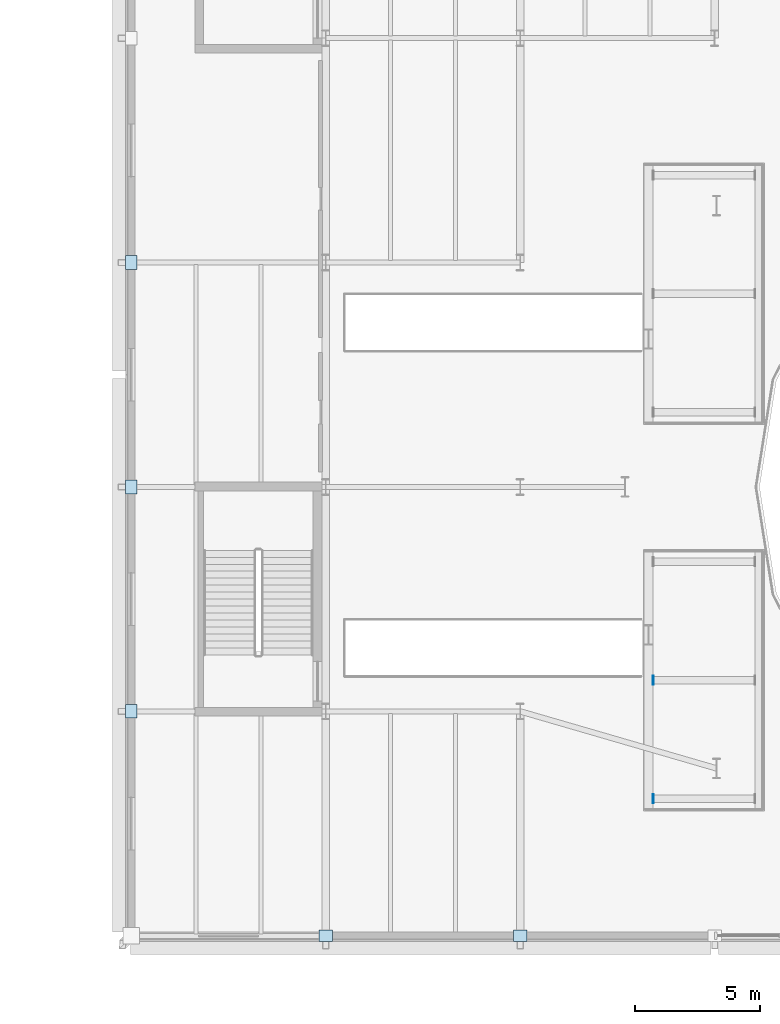
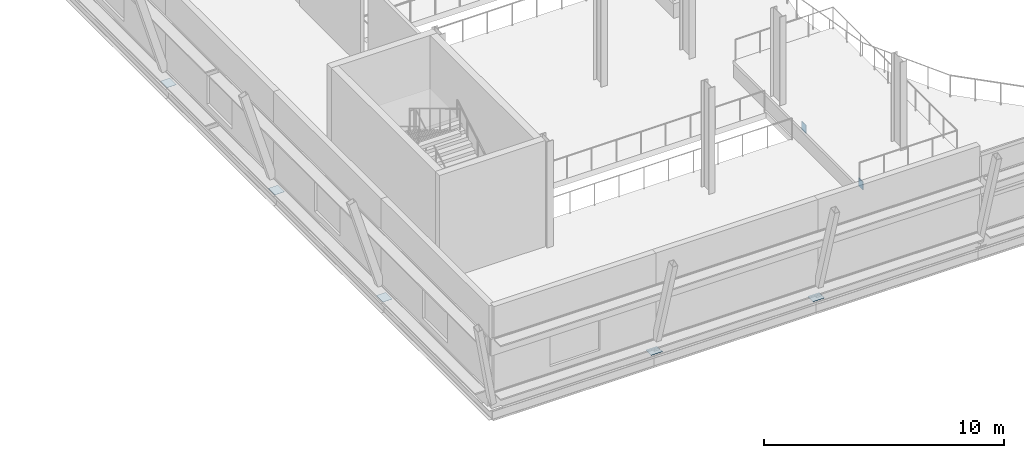
# One storey, part 44 of 78: 7 plates.
"""IFC4 building model written with IfcOpenShell, lengths in metres."""

import ifcopenshell
import ifcopenshell.guid

model = None  # the IFC model being written
_history = None  # IfcOwnerHistory: only IFC2X3 demands one
_inside = {}  # id of a spatial element -> (the spatial element, [elements in it])
_under = {}  # id of a project, library or spatial element -> (it, [spatial elements below it])
_declared = {}  # id of a project -> (the project, [libraries it declares])
_typed = {}  # id of a type object -> (the type object, [elements of that type])
_made_of = {}  # id of a material, layer set ... -> (it, [elements and type objects made of it])


def new_model(schema):
    """Start an empty IFC model of exactly this schema.

    Asked for "IFC4X3", IfcOpenShell would pick the latest addendum, in which some entities
    have other attributes; the version numbers below select the first issue.
    IFC2X3 requires an IfcOwnerHistory on every rooted entity: one is made here for all.
    """
    global model, _history
    if schema == "IFC4X3":
        model = ifcopenshell.file(schema_version=(4, 3, 0, 0))
    else:
        model = ifcopenshell.file(schema=schema)
    _inside.clear()
    _under.clear()
    _declared.clear()
    _typed.clear()
    _made_of.clear()
    _history = None
    if model.schema == "IFC2X3":
        org = make("IfcOrganization", Name="unknown")
        user = make(
            "IfcPersonAndOrganization",
            ThePerson=make("IfcPerson", FamilyName="unknown"),
            TheOrganization=org,
        )
        app = make(
            "IfcApplication",
            ApplicationDeveloper=org,
            Version="unknown",
            ApplicationFullName="unknown",
            ApplicationIdentifier="unknown",
        )
        _history = make(
            "IfcOwnerHistory",
            OwningUser=user,
            OwningApplication=app,
            ChangeAction="ADDED",
            CreationDate=0,
        )
    return model


def make(cls, **values):
    """One entity of the class cls with the attributes given. An attribute that is None is left unset."""
    return model.create_entity(
        cls, **{name: value for name, value in values.items() if value is not None}
    )


def rooted(cls, **values):
    """An entity with a GlobalId (a new one), such as an element, a storey or a relation."""
    return make(cls, GlobalId=ifcopenshell.guid.new(), OwnerHistory=_history, **values)


def si_unit(unit_type, name, prefix=None):
    """IfcSIUnit, for example si_unit("LENGTHUNIT", "METRE", prefix="MILLI")."""
    return make("IfcSIUnit", UnitType=unit_type, Prefix=prefix, Name=name)


def assignment(units):
    """IfcUnitAssignment: the units of a project."""
    return None if units is None else make("IfcUnitAssignment", Units=units)


def point(xyz):
    """IfcCartesianPoint."""
    return None if xyz is None else make("IfcCartesianPoint", Coordinates=xyz)


def direction(xyz):
    """IfcDirection."""
    return None if xyz is None else make("IfcDirection", DirectionRatios=xyz)


def frame(location, z_axis=None, x_axis=None):
    """IfcAxis2Placement3D, a coordinate frame: its origin and axes. An axis left out is left unset."""
    return make(
        "IfcAxis2Placement3D",
        Location=point(location),
        Axis=direction(z_axis),
        RefDirection=direction(x_axis),
    )


def frame_2d(location, x_axis=None):
    """IfcAxis2Placement2D, a coordinate frame in the plane: its origin and x axis."""
    return make(
        "IfcAxis2Placement2D", Location=point(location), RefDirection=direction(x_axis)
    )


def origin():
    """The frame at (0, 0, 0) with its axes left unset."""
    return frame((0.0, 0.0, 0.0))


def origin_2d():
    """The frame at (0, 0) in the plane with its x axis left unset."""
    return frame_2d((0.0, 0.0))


def place(relative_to, where):
    """IfcLocalPlacement: puts the frame where relative to a parent placement (None: the world)."""
    return make(
        "IfcLocalPlacement", PlacementRelTo=relative_to, RelativePlacement=where
    )


def context(
    kind, dimensions, precision=None, world=None, true_north=None, identifier=None
):
    """IfcGeometricRepresentationContext, for example the 3D "Model" context."""
    return make(
        "IfcGeometricRepresentationContext",
        ContextIdentifier=identifier,
        ContextType=kind,
        CoordinateSpaceDimension=dimensions,
        Precision=precision,
        WorldCoordinateSystem=world,
        TrueNorth=true_north,
    )


def subcontext(parent, identifier, kind, view, scale=None):
    """IfcGeometricRepresentationSubContext, for example "Body" below "Model"."""
    return make(
        "IfcGeometricRepresentationSubContext",
        ContextIdentifier=identifier,
        ContextType=kind,
        ParentContext=parent,
        TargetScale=scale,
        TargetView=view,
    )


def project(units=None, contexts=None):
    """IfcProject with its units and contexts."""
    return rooted(
        "IfcProject",
        Name="project",
        RepresentationContexts=contexts,
        UnitsInContext=assignment(units),
    )


def spatial(cls, under=None, at=None, **own):
    """A site, building, storey or space (cls), placed at a placement, below another one or the project."""
    s = rooted(cls, ObjectPlacement=at, **own)
    if under is not None:
        _under.setdefault(under.id(), (under, []))[1].append(s)
    return s


def profile(cls, at=None, kind="AREA", **sizes):
    """A parametric profile (cls). Its sizes go by their IFC names, for example OverallWidth=200.0."""
    return make(cls, ProfileType=kind, Position=at, **sizes)


def rectangle(**sizes):
    """IfcRectangleProfileDef."""
    return profile("IfcRectangleProfileDef", **sizes)


def extrude(swept, where, along, depth):
    """IfcExtrudedAreaSolid: the profile swept, set in the frame where, extruded along a direction by depth."""
    return make(
        "IfcExtrudedAreaSolid",
        SweptArea=swept,
        Position=where,
        ExtrudedDirection=direction(along),
        Depth=depth,
    )


def shape(context_of_items, identifier, shape_type, items):
    """IfcShapeRepresentation: the items that make up one representation, for example the "Body"."""
    return make(
        "IfcShapeRepresentation",
        ContextOfItems=context_of_items,
        RepresentationIdentifier=identifier,
        RepresentationType=shape_type,
        Items=items,
    )


def material(Name=None, Category=None):
    """IfcMaterial."""
    return make("IfcMaterial", Name=Name, Category=Category)


def layer(
    of_material, thickness, ventilated=None, Name=None, Category=None, Priority=None
):
    """IfcMaterialLayer: one layer of a wall or slab, of a material (None: an air gap)."""
    return make(
        "IfcMaterialLayer",
        Material=of_material,
        LayerThickness=thickness,
        IsVentilated=ventilated,
        Name=Name,
        Category=Category,
        Priority=Priority,
    )


def layer_set(layers, Name=None):
    """IfcMaterialLayerSet."""
    return make("IfcMaterialLayerSet", MaterialLayers=layers, LayerSetName=Name)


def made_of(thing, what):
    """Note that an element or type object is made of a material, layer set ...; save() writes the relation."""
    if what is not None:
        _made_of.setdefault(what.id(), (what, []))[1].append(thing)
    return thing


def type_object(cls, material=None, **own):
    """A type object (cls), such as IfcWallType, which elements share."""
    return made_of(rooted(cls, **own), material)


def element(
    cls,
    number,
    at=None,
    inside=None,
    cuts=None,
    type_object=None,
    material=None,
    context=None,
    identifier="Body",
    shape_type=None,
    held_by="IfcProductDefinitionShape",
    body=None,
    shapes=None,
    **own,
):
    """One element of the class cls, such as IfcWall. Its Tag is "e" and its number.

    at: its placement. inside: the storey or other place that contains it. cuts: it is an
    opening in that element (IfcRelVoidsElement). A single representation is given by context,
    identifier, shape_type and body (its items); several are given by shapes. held_by: the class
    of the entity that holds the representations. save() writes the other relations.
    """
    e = rooted(cls, Tag="e%d" % number, ObjectPlacement=at, **own)
    if body is not None:
        shapes = [shape(context, identifier, shape_type, body)]
    if shapes is not None:
        e.Representation = make(held_by, Representations=shapes)
    if inside is not None:
        _inside.setdefault(inside.id(), (inside, []))[1].append(e)
    if cuts is not None:
        rooted(
            "IfcRelVoidsElement", RelatingBuildingElement=cuts, RelatedOpeningElement=e
        )
    if type_object is not None:
        _typed.setdefault(type_object.id(), (type_object, []))[1].append(e)
    return made_of(e, material)


def aggregate(whole, parts):
    """IfcRelAggregates: a whole, such as a stair, and the parts it consists of."""
    return rooted("IfcRelAggregates", RelatingObject=whole, RelatedObjects=parts)


def save(model, path):
    """Write the relations noted so far, then the file.

    IfcRelAggregates (storeys below a building ...), IfcRelContainedInSpatialStructure (elements
    in a storey), IfcRelDefinesByType, IfcRelAssociatesMaterial and IfcRelDeclares: one each for
    every whole, place, type object, material and project.
    """
    for whole, parts in _under.values():
        aggregate(whole, parts)
    for where, things in _inside.values():
        rooted(
            "IfcRelContainedInSpatialStructure",
            RelatedElements=things,
            RelatingStructure=where,
        )
    for kind, things in _typed.values():
        rooted("IfcRelDefinesByType", RelatedObjects=things, RelatingType=kind)
    for what, things in _made_of.values():
        rooted("IfcRelAssociatesMaterial", RelatedObjects=things, RelatingMaterial=what)
    for by, libraries in _declared.values():
        rooted("IfcRelDeclares", RelatingContext=by, RelatedDefinitions=libraries)
    model.write(path)


model = new_model("IFC4")

# Units and contexts
model_context = context("Model", 3, precision=1e-05, world=origin(), true_north=direction((0.0, 1.0)))
body_context = subcontext(model_context, "Body", "Model", "MODEL_VIEW")
ifc_project = project(units=[si_unit("LENGTHUNIT", "METRE"), si_unit("AREAUNIT", "SQUARE_METRE"), si_unit("VOLUMEUNIT", "CUBIC_METRE"), si_unit("PLANEANGLEUNIT", "RADIAN"), si_unit("MASSUNIT", "GRAM", prefix="KILO")], contexts=[model_context])

# Site, building, storey
site_placement = place(None, origin())
site = spatial("IfcSite", under=ifc_project, at=site_placement, CompositionType="ELEMENT")
building_placement = place(site_placement, origin())
building = spatial("IfcBuilding", under=site, at=building_placement, Name="Sefraquen Railside Congress Hotel", CompositionType="ELEMENT")
storey_placement = place(building_placement, frame((0.0, 0.0, 6.0)))
storey = spatial("IfcBuildingStorey", under=building, at=storey_placement, Name="L01", CompositionType="ELEMENT", Elevation=6.0)

# Plates
ifc_material = material(Name="Steel S355J2", Category="steel")
ifc_layer_1 = layer(ifc_material, 0.050048828125)
ifc_layer_set_1 = layer_set([ifc_layer_1], Name="Steel S355J2")
plate_type_1 = type_object("IfcPlateType", Name="TP-BPL-01", PredefinedType="SHEET", material=ifc_layer_set_1)
for number, where, z_axis, x_axis, name in (
    (1, (33.0, 9.0, -0.02783203125), (0.0, 0.0, 1.0), (1.0, 0.0, 0.0), "Inclined column base knuckle plate S-5"),
    (2, (40.800048828125, 9.0, -0.02783203125), (0.0, 0.0, 1.0), (1.0, 0.0, 0.0), "Inclined column base knuckle plate S-6"),
):
    element("IfcPlate", number, at=place(storey_placement, frame(where, z_axis=z_axis, x_axis=x_axis)), inside=storey, type_object=plate_type_1, Name=name, PredefinedType="SHEET", context=body_context, shape_type="SweptSolid", body=[
        extrude(rectangle(XDim=0.550048828125, YDim=0.449951171875, at=origin_2d()), origin(), (0.0, 0.0, 1.0), 0.011962890625),
    ])
for number, where, z_axis, x_axis, name in (
    (3, (25.199951171875, 18.0, -0.02783203125), (0.0, 0.0, 1.0), (1.0, 0.0, 0.0), "Inclined column base knuckle plate W-C"),
    (4, (25.199951171875, 27.0, -0.02783203125), (0.0, 0.0, 1.0), (1.0, 0.0, 0.0), "Inclined column base knuckle plate W-D"),
    (5, (25.199951171875, 36.0, -0.02783203125), (0.0, 0.0, 1.0), (1.0, 0.0, 0.0), "Inclined column base knuckle plate W-E"),
):
    element("IfcPlate", number, at=place(storey_placement, frame(where, z_axis=z_axis, x_axis=x_axis)), inside=storey, type_object=plate_type_1, Name=name, PredefinedType="SHEET", context=body_context, shape_type="SweptSolid", body=[
        extrude(rectangle(XDim=0.449951171875, YDim=0.550048828125, at=origin_2d()), origin(), (0.0, 0.0, 1.0), 0.011962890625),
    ])
ifc_layer_2 = layer(ifc_material, 0.0400390625)
ifc_layer_set_2 = layer_set([ifc_layer_2], Name="Steel S355J2")
plate_type_2 = type_object("IfcPlateType", Name="TP-GUS-02", PredefinedType="SHEET", material=ifc_layer_set_2)
for number, where, z_axis, x_axis, name in (
    (6, (46.137939453125, 14.5, 0.3349609375), (0.0, 0.0, 1.0), (1.0, 0.0, 0.0), "Cast-in core wall embed plate PL-L01-RKR-01A-W"),
    (7, (46.137939453125, 19.25, 0.3349609375), (0.0, 0.0, 1.0), (1.0, 0.0, 0.0), "Cast-in core wall embed plate PL-L01-RKR-01M-W"),
):
    element("IfcPlate", number, at=place(storey_placement, frame(where, z_axis=z_axis, x_axis=x_axis)), inside=storey, type_object=plate_type_2, Name=name, PredefinedType="SHEET", context=body_context, shape_type="SweptSolid", body=[
        extrude(rectangle(XDim=0.02490234375, YDim=0.360107421875, at=origin_2d()), origin(), (0.0, 0.0, 1.0), 0.419921875),
    ])

save(model, "model.ifc")
